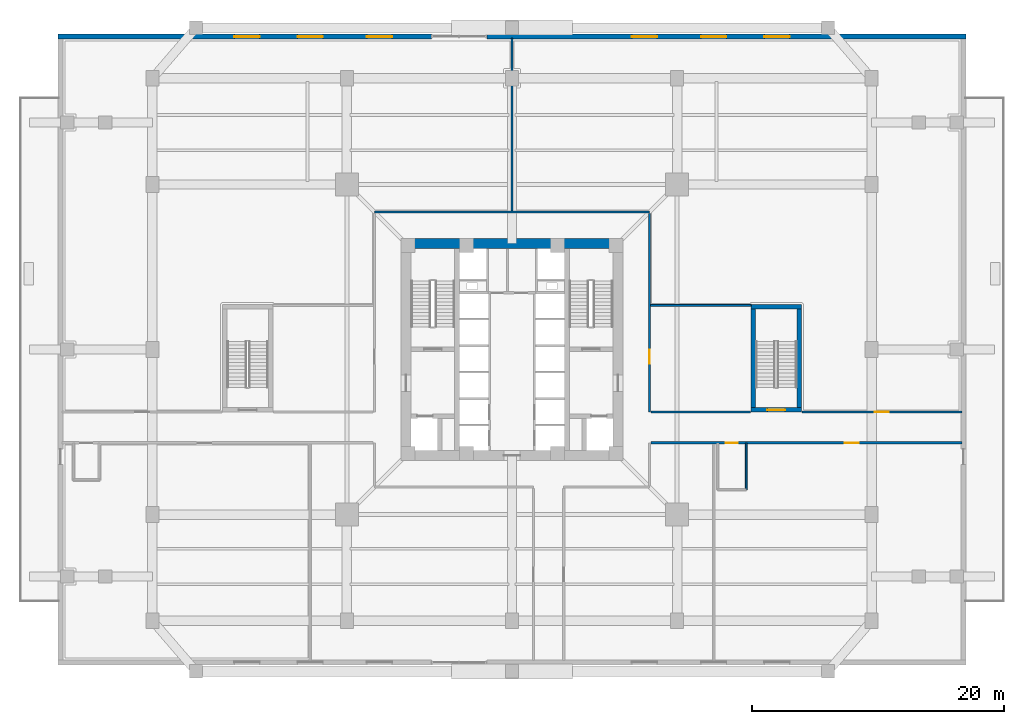
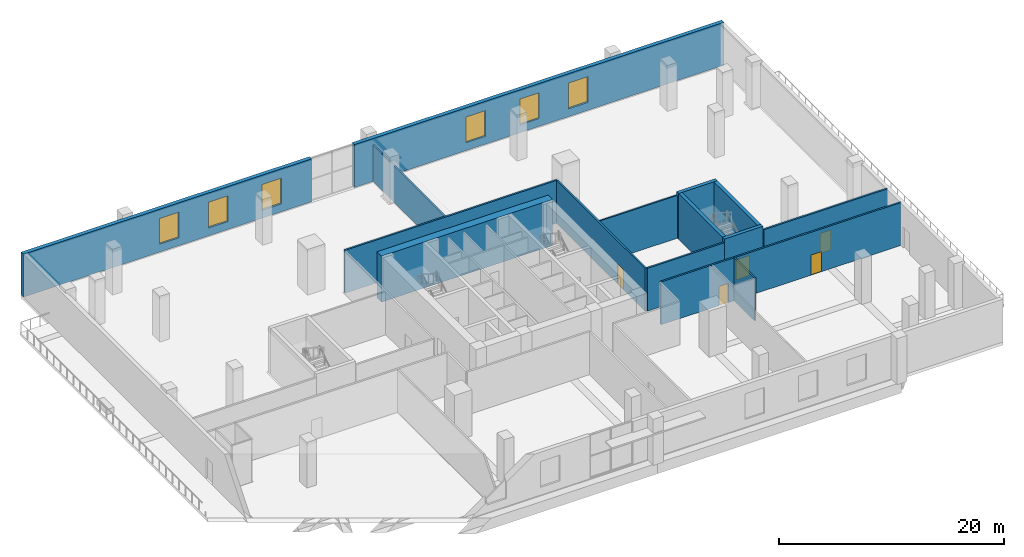
# One storey, part 8 of 15: 15 walls, 6 windows, 5 doors, 11 openings.
"""IFC4 building model written with IfcOpenShell, lengths in metres."""

from ifc_helpers import new_model, si_unit, direction, frame, frame_2d, origin, place, context, subcontext, project, spatial, rectangle, extrude, source, transform, mapped, material, layer, layer_set, type_object, element, fill, save


model = new_model("IFC4")

# Units and contexts
model_context = context("Model", 3, precision=1e-05, world=origin(), true_north=direction((0.0, 1.0)))
body_context = subcontext(model_context, "Body", "Model", "MODEL_VIEW")
ifc_project = project(units=[si_unit("LENGTHUNIT", "METRE"), si_unit("AREAUNIT", "SQUARE_METRE"), si_unit("VOLUMEUNIT", "CUBIC_METRE"), si_unit("PLANEANGLEUNIT", "RADIAN"), si_unit("MASSUNIT", "GRAM", prefix="KILO"), si_unit("THERMODYNAMICTEMPERATUREUNIT", "KELVIN")], contexts=[model_context])

# Site, building, storey
site_placement = place(None, origin())
site = spatial("IfcSite", under=ifc_project, at=site_placement, CompositionType="ELEMENT")
building_placement = place(site_placement, origin())
building = spatial("IfcBuilding", under=site, at=building_placement, Name="Kosmvard Interchange Tower", CompositionType="ELEMENT")
storey_placement = place(building_placement, frame((0.0, 0.0, 11.0)))
storey = spatial("IfcBuildingStorey", under=building, at=storey_placement, Name="L02", CompositionType="ELEMENT", Elevation=11.0)

# Walls
ifc_material_1 = material(Name="Acoustic gypsum partition system")
ifc_layer_1 = layer(ifc_material_1, 0.14990234375, Name="Acoustic gypsum partition system")
ifc_layer_set_1 = layer_set([ifc_layer_1], Name="Acoustic gypsum partition system")
wall_type_1 = type_object("IfcWallType", Name="Acoustic Suite & Meeting Partition 150", PredefinedType="PARTITIONING", material=ifc_layer_set_1)
wall_1_placement = place(storey_placement, frame((0.0, 10.9951171875, 0.0), z_axis=(0.0, 0.0, 1.0), x_axis=(0.0, 1.0, 0.0)))
element("IfcWall", 1, at=wall_1_placement, inside=storey, type_object=wall_type_1, Name="L02 Room Partition 01.1", PredefinedType="PARTITIONING", context=body_context, shape_type="SweptSolid", body=[
    extrude(rectangle(XDim=13.669921875, YDim=0.14990234375, at=frame_2d((6.8349609375, 0.0))), origin(), (0.0, 0.0, 1.0), 3.949951171875),
])
wall_2_placement = place(storey_placement, frame((10.9951171875, 3.5, 0.0), z_axis=(0.0, 0.0, 1.0), x_axis=(1.0, 0.0, 0.0)))
element("IfcWall", 2, at=wall_2_placement, inside=storey, type_object=wall_type_1, Name="L02 Room Partition 03.1", PredefinedType="PARTITIONING", context=body_context, shape_type="SweptSolid", body=[
    extrude(rectangle(XDim=7.96484375, YDim=0.14990234375, at=frame_2d((3.982421875, 0.0))), origin(), (0.0, 0.0, 1.0), 4.659912109375),
])
ifc_material_2 = material(Name="Fire-rated gypsum partition system")
ifc_layer_2 = layer(ifc_material_2, 0.179931640625, Name="Fire-rated gypsum partition system")
ifc_layer_set_2 = layer_set([ifc_layer_2], Name="Fire-rated gypsum partition system")
wall_type_2 = type_object("IfcWallType", Name="Corridor & Hotel Compartment Partition 180", PredefinedType="PARTITIONING", material=ifc_layer_set_2)
wall_3_placement = place(storey_placement, frame((-10.89990234375, 10.89990234375, 0.0), z_axis=(0.0, 0.0, 1.0), x_axis=(1.0, 0.0, 0.0)))
element("IfcWall", 3, at=wall_3_placement, inside=storey, type_object=wall_type_2, Name="L02 Corridor Wall CN", PredefinedType="PARTITIONING", context=body_context, shape_type="SweptSolid", body=[
    extrude(rectangle(XDim=21.7998046875, YDim=0.179931640625, at=frame_2d((10.89990234375, 0.0))), origin(), (0.0, 0.0, 1.0), 4.659912109375),
])

# Wall, opening, door
wall_4_placement = place(storey_placement, frame((10.89990234375, -4.9599609375, 0.0), z_axis=(0.0, 0.0, 1.0), x_axis=(0.0, 1.0, 0.0)))
wall_4 = element("IfcWall", 4, at=wall_4_placement, inside=storey, type_object=wall_type_2, Name="L02 Corridor Wall CEN", PredefinedType="PARTITIONING", context=body_context, shape_type="SweptSolid", body=[
    extrude(rectangle(XDim=15.760009765625, YDim=0.179931640625, at=frame_2d((7.8798828125, 0.0))), origin(), (0.0, 0.0, 1.0), 4.659912109375),
])
opening_1_placement = place(wall_4_placement, frame((3.844482421875, 0.0, 0.0)))
opening_1 = element("IfcOpeningElement", 5, at=opening_1_placement, cuts=wall_4, Name="Opening L02-D06", PredefinedType="OPENING", context=body_context, shape_type="SweptSolid", body=[
    extrude(rectangle(XDim=1.10009765625, YDim=2.199951171875, at=frame_2d((0.550048828125, 1.10009765625))), frame((0.0, 0.10009765625, 0.0), z_axis=(0.0, -1.0, 0.0), x_axis=(1.0, 0.0, 0.0)), (0.0, 0.0, 1.0), 0.199951171875),
])
ifc_material_3 = material(Name="Engineered oak fire-rated timber", Category="wood")
door_type_1 = type_object("IfcDoorType", Name="Office Suite Entrance Door 1100x2200 FD30S", OperationType="NOTDEFINED", PredefinedType="DOOR", material=ifc_material_3)
shared_shape_1 = source(origin(), body_context, "Body", "SweptSolid", [
    extrude(rectangle(XDim=1.10009765625, YDim=2.199951171875, at=frame_2d((0.550048828125, 1.10009765625))), frame((0.0, 0.02490234375, 0.0), z_axis=(0.0, -1.0, 0.0), x_axis=(1.0, 0.0, 0.0)), (0.0, 0.0, 1.0), 0.050048828125),
])
door_1_placement = place(opening_1_placement, frame((1.10009765625, 0.0, 0.0), z_axis=(0.0, 0.0, 1.0), x_axis=(-1.0, 0.0, 0.0)))
door_1 = element("IfcDoor", 6, at=door_1_placement, inside=storey, type_object=door_type_1, Name="L02 L02 Retail Stockroom Store Door", OperationType="SINGLE_SWING_RIGHT", OverallHeight=2.199951171875, OverallWidth=1.10009765625, PredefinedType="DOOR", context=body_context, shape_type="MappedRepresentation", body=[
    mapped(shared_shape_1, transform((0.0, 0.0, 0.0), scale=1.0)),
])
fill(opening_1, door_1)

# Wall, openings, doors
wall_5_placement = place(storey_placement, frame((11.0, -7.39990234375, 0.0), z_axis=(0.0, 0.0, 1.0), x_axis=(1.0, 0.0, 0.0)))
wall_5 = element("IfcWall", 7, at=wall_5_placement, inside=storey, type_object=wall_type_2, Name="L02 Corridor Wall SES", PredefinedType="PARTITIONING", context=body_context, shape_type="SweptSolid", body=[
    extrude(rectangle(XDim=24.6650390625, YDim=0.179931640625, at=frame_2d((12.33251953125, 0.0))), origin(), (0.0, 0.0, 1.0), 4.659912109375),
])
opening_2_placement = place(wall_5_placement, frame((5.961181640625, 0.0, 0.0)))
opening_2 = element("IfcOpeningElement", 8, at=opening_2_placement, cuts=wall_5, Name="Opening L02-D02", PredefinedType="OPENING", context=body_context, shape_type="SweptSolid", body=[
    extrude(rectangle(XDim=0.949951171875, YDim=2.10009765625, at=frame_2d((0.47509765625, 1.050048828125))), frame((0.0, 0.10009765625, 0.0), z_axis=(0.0, -1.0, 0.0), x_axis=(1.0, 0.0, 0.0)), (0.0, 0.0, 1.0), 0.199951171875),
])
opening_3_placement = place(wall_5_placement, frame((15.392578125, 0.0, 0.0)))
opening_3 = element("IfcOpeningElement", 9, at=opening_3_placement, cuts=wall_5, Name="Opening L02-D10", PredefinedType="OPENING", context=body_context, shape_type="SweptSolid", body=[
    extrude(rectangle(XDim=1.10009765625, YDim=2.199951171875, at=frame_2d((0.550048828125, 1.10009765625))), frame((0.0, 0.10009765625, 0.0), z_axis=(0.0, -1.0, 0.0), x_axis=(1.0, 0.0, 0.0)), (0.0, 0.0, 1.0), 0.199951171875),
])
ifc_material_4 = material(Name="Laminated moisture-resistant timber", Category="wood")
door_type_2 = type_object("IfcDoorType", Name="Accessible Washroom Door 950x2100", OperationType="NOTDEFINED", PredefinedType="DOOR", material=ifc_material_4)
shared_shape_2 = source(origin(), body_context, "Body", "SweptSolid", [
    extrude(rectangle(XDim=0.949951171875, YDim=2.10009765625, at=frame_2d((0.47509765625, 1.050048828125))), frame((0.0, 0.02490234375, 0.0), z_axis=(0.0, -1.0, 0.0), x_axis=(1.0, 0.0, 0.0)), (0.0, 0.0, 1.0), 0.050048828125),
])
door_2_placement = place(opening_2_placement, frame((0.949951171875, 0.0, 0.0), z_axis=(0.0, 0.0, 1.0), x_axis=(-1.0, 0.0, 0.0)))
door_2 = element("IfcDoor", 10, at=door_2_placement, inside=storey, type_object=door_type_2, Name="L02 Public Floor Washroom Door", OperationType="SINGLE_SWING_RIGHT", OverallHeight=2.10009765625, OverallWidth=0.949951171875, PredefinedType="DOOR", context=body_context, shape_type="MappedRepresentation", body=[
    mapped(shared_shape_2, transform((0.0, 0.0, 0.0), scale=1.0)),
])
fill(opening_2, door_2)
door_3_placement = place(opening_3_placement, frame((1.10009765625, 0.0, 0.0), z_axis=(0.0, 0.0, 1.0), x_axis=(-1.0, 0.0, 0.0)))
door_3 = element("IfcDoor", 11, at=door_3_placement, inside=storey, type_object=door_type_1, Name="L02 L02 East Cascade Terrace Shop Door", OperationType="SINGLE_SWING_RIGHT", OverallHeight=2.199951171875, OverallWidth=1.10009765625, PredefinedType="DOOR", context=body_context, shape_type="MappedRepresentation", body=[
    mapped(shared_shape_1, transform((0.0, 0.0, 0.0), scale=1.0)),
])
fill(opening_3, door_3)

# Wall
wall_6_placement = place(storey_placement, frame((11.0, -4.9599609375, 0.0), z_axis=(0.0, 0.0, 1.0), x_axis=(1.0, 0.0, 0.0)))
element("IfcWall", 12, at=wall_6_placement, inside=storey, type_object=wall_type_2, Name="L02 Corridor Wall SEN1", PredefinedType="PARTITIONING", context=body_context, shape_type="SweptSolid", body=[
    extrude(rectangle(XDim=7.919921875, YDim=0.179931640625, at=frame_2d((3.9599609375, 0.0))), origin(), (0.0, 0.0, 1.0), 4.659912109375),
])

# Wall, opening, door
wall_7_placement = place(storey_placement, frame((22.97998046875, -4.9599609375, 0.0), z_axis=(0.0, 0.0, 1.0), x_axis=(1.0, 0.0, 0.0)))
wall_7 = element("IfcWall", 13, at=wall_7_placement, inside=storey, type_object=wall_type_2, Name="L02 Corridor Wall SEN2", PredefinedType="PARTITIONING", context=body_context, shape_type="SweptSolid", body=[
    extrude(rectangle(XDim=12.68505859375, YDim=0.179931640625, at=frame_2d((6.342529296875, 0.0))), origin(), (0.0, 0.0, 1.0), 4.659912109375),
])
opening_4_placement = place(wall_7_placement, frame((5.79248046875, 0.0, 0.0)))
opening_4 = element("IfcOpeningElement", 14, at=opening_4_placement, cuts=wall_7, Name="Opening L02-D04", PredefinedType="OPENING", context=body_context, shape_type="SweptSolid", body=[
    extrude(rectangle(XDim=1.10009765625, YDim=2.199951171875, at=frame_2d((0.550048828125, 1.10009765625))), frame((0.0, 0.10009765625, 0.0), z_axis=(0.0, -1.0, 0.0), x_axis=(1.0, 0.0, 0.0)), (0.0, 0.0, 1.0), 0.199951171875),
])
door_4_placement = place(opening_4_placement, origin())
door_4 = element("IfcDoor", 15, at=door_4_placement, inside=storey, type_object=door_type_1, Name="L02 L02 Interchange Departure Lounge Door", OperationType="SINGLE_SWING_RIGHT", OverallHeight=2.199951171875, OverallWidth=1.10009765625, PredefinedType="DOOR", context=body_context, shape_type="MappedRepresentation", body=[
    mapped(shared_shape_1, transform((0.0, 0.0, 0.0), scale=1.0)),
])
fill(opening_4, door_4)

# Wall
ifc_material_5 = material(Name="Concrete C80/95", Category="concrete")
ifc_layer_3 = layer(ifc_material_5, 0.800048828125, Name="Concrete C80/95")
ifc_layer_set_3 = layer_set([ifc_layer_3], Name="Concrete C80/95")
wall_type_3 = type_object("IfcWallType", Name="Lower Core Shear Wall 800 C80/95", PredefinedType="SHEAR", material=ifc_layer_set_3)
wall_8_placement = place(storey_placement, frame((-8.800048828125, 8.39990234375, 0.0), z_axis=(0.0, 0.0, 1.0), x_axis=(1.0, 0.0, 0.0)))
element("IfcWall", 16, at=wall_8_placement, inside=storey, type_object=wall_type_3, Name="L02 Core Shear Wall CW-N", PredefinedType="SHEAR", context=body_context, shape_type="SweptSolid", body=[
    extrude(rectangle(XDim=17.60009765625, YDim=0.800048828125, at=frame_2d((8.800048828125, 0.0))), origin(), (0.0, 0.0, 1.0), 5.0),
])

# Wall, openings, windows
ifc_material_6 = material(Name="Precast concrete C45/55", Category="concrete")
ifc_layer_4 = layer(ifc_material_6, 0.39990234375, Name="Precast concrete C45/55")
ifc_layer_set_4 = layer_set([ifc_layer_4], Name="Precast concrete C45/55")
wall_type_4 = type_object("IfcWallType", Name="Podium Precast Stone Pier Wall 400 C45/55", PredefinedType="STANDARD", material=ifc_layer_set_4)
wall_9_placement = place(storey_placement, frame((-36.0, 24.800048828125, 0.0), z_axis=(0.0, 0.0, 1.0), x_axis=(1.0, 0.0, 0.0)))
wall_9 = element("IfcWall", 17, at=wall_9_placement, inside=storey, type_object=wall_type_4, Name="L02 Podium Precast Wall EW-N1", PredefinedType="STANDARD", context=body_context, shape_type="SweptSolid", body=[
    extrude(rectangle(XDim=29.60009765625, YDim=0.39990234375, at=frame_2d((14.800048828125, 0.0))), origin(), (0.0, 0.0, 1.0), 4.659912109375),
])
opening_5_placement = place(wall_9_placement, frame((14.0, 0.0, 0.85009765625)))
opening_5 = element("IfcOpeningElement", 18, at=opening_5_placement, cuts=wall_9, Name="Opening L02-W7", PredefinedType="OPENING", context=body_context, shape_type="SweptSolid", body=[
    extrude(rectangle(XDim=2.0, YDim=2.800048828125, at=frame_2d((1.0, 1.39990234375))), frame((0.0, 0.2099609375, 0.0), z_axis=(0.0, -1.0, 0.0), x_axis=(1.0, 0.0, 0.0)), (0.0, 0.0, 1.0), 0.419921875),
])
opening_6_placement = place(wall_9_placement, frame((19.0, 0.0, 0.85009765625)))
opening_6 = element("IfcOpeningElement", 19, at=opening_6_placement, cuts=wall_9, Name="Opening L02-W8", PredefinedType="OPENING", context=body_context, shape_type="SweptSolid", body=[
    extrude(rectangle(XDim=2.0, YDim=2.800048828125, at=frame_2d((1.0, 1.39990234375))), frame((0.0, 0.2099609375, 0.0), z_axis=(0.0, -1.0, 0.0), x_axis=(1.0, 0.0, 0.0)), (0.0, 0.0, 1.0), 0.419921875),
])
opening_7_placement = place(wall_9_placement, frame((24.5, 0.0, 0.85009765625)))
opening_7 = element("IfcOpeningElement", 20, at=opening_7_placement, cuts=wall_9, Name="Opening L02-W9", PredefinedType="OPENING", context=body_context, shape_type="SweptSolid", body=[
    extrude(rectangle(XDim=2.0, YDim=2.800048828125, at=frame_2d((1.0, 1.39990234375))), frame((0.0, 0.2099609375, 0.0), z_axis=(0.0, -1.0, 0.0), x_axis=(1.0, 0.0, 0.0)), (0.0, 0.0, 1.0), 0.419921875),
])
ifc_material_7 = material(Name="Low-E solar-control double glazing", Category="glass")
window_type = type_object("IfcWindowType", Name="Podium Lounge Punched Window 2000x2800", PartitioningType="SINGLE_PANEL", PredefinedType="WINDOW", material=ifc_material_7)
shared_shape_3 = source(origin(), body_context, "Body", "SweptSolid", [
    extrude(rectangle(XDim=2.0, YDim=2.800048828125, at=frame_2d((1.0, 1.39990234375))), frame((0.0, 0.030029296875, 0.0), z_axis=(0.0, -1.0, 0.0), x_axis=(1.0, 0.0, 0.0)), (0.0, 0.0, 1.0), 0.06005859375),
])
window_1_placement = place(opening_5_placement, origin())
window_1 = element("IfcWindow", 21, at=window_1_placement, inside=storey, type_object=window_type, Name="L02 Podium Window 7", OverallHeight=2.800048828125, OverallWidth=2.0, PartitioningType="SINGLE_PANEL", PredefinedType="WINDOW", context=body_context, shape_type="MappedRepresentation", body=[
    mapped(shared_shape_3, transform((0.0, 0.0, 0.0), scale=1.0)),
])
fill(opening_5, window_1)
window_2_placement = place(opening_6_placement, origin())
window_2 = element("IfcWindow", 22, at=window_2_placement, inside=storey, type_object=window_type, Name="L02 Podium Window 8", OverallHeight=2.800048828125, OverallWidth=2.0, PartitioningType="SINGLE_PANEL", PredefinedType="WINDOW", context=body_context, shape_type="MappedRepresentation", body=[
    mapped(shared_shape_3, transform((0.0, 0.0, 0.0), scale=1.0)),
])
fill(opening_6, window_2)
window_3_placement = place(opening_7_placement, origin())
window_3 = element("IfcWindow", 23, at=window_3_placement, inside=storey, type_object=window_type, Name="L02 Podium Window 9", OverallHeight=2.800048828125, OverallWidth=2.0, PartitioningType="SINGLE_PANEL", PredefinedType="WINDOW", context=body_context, shape_type="MappedRepresentation", body=[
    mapped(shared_shape_3, transform((0.0, 0.0, 0.0), scale=1.0)),
])
fill(opening_7, window_3)

wall_10_placement = place(storey_placement, frame((-2.0, 24.800048828125, 0.0), z_axis=(0.0, 0.0, 1.0), x_axis=(1.0, 0.0, 0.0)))
wall_10 = element("IfcWall", 24, at=wall_10_placement, inside=storey, type_object=wall_type_4, Name="L02 Podium Precast Wall EW-N2", PredefinedType="STANDARD", context=body_context, shape_type="SweptSolid", body=[
    extrude(rectangle(XDim=38.0, YDim=0.39990234375, at=frame_2d((19.0, 0.0))), origin(), (0.0, 0.0, 1.0), 4.659912109375),
])
opening_8_placement = place(wall_10_placement, frame((11.5, 0.0, 0.85009765625)))
opening_8 = element("IfcOpeningElement", 25, at=opening_8_placement, cuts=wall_10, Name="Opening L02-W10", PredefinedType="OPENING", context=body_context, shape_type="SweptSolid", body=[
    extrude(rectangle(XDim=2.0, YDim=2.800048828125, at=frame_2d((1.0, 1.39990234375))), frame((0.0, 0.2099609375, 0.0), z_axis=(0.0, -1.0, 0.0), x_axis=(1.0, 0.0, 0.0)), (0.0, 0.0, 1.0), 0.419921875),
])
opening_9_placement = place(wall_10_placement, frame((17.0, 0.0, 0.85009765625)))
opening_9 = element("IfcOpeningElement", 26, at=opening_9_placement, cuts=wall_10, Name="Opening L02-W11", PredefinedType="OPENING", context=body_context, shape_type="SweptSolid", body=[
    extrude(rectangle(XDim=2.0, YDim=2.800048828125, at=frame_2d((1.0, 1.39990234375))), frame((0.0, 0.2099609375, 0.0), z_axis=(0.0, -1.0, 0.0), x_axis=(1.0, 0.0, 0.0)), (0.0, 0.0, 1.0), 0.419921875),
])
opening_10_placement = place(wall_10_placement, frame((22.0, 0.0, 0.85009765625)))
opening_10 = element("IfcOpeningElement", 27, at=opening_10_placement, cuts=wall_10, Name="Opening L02-W12", PredefinedType="OPENING", context=body_context, shape_type="SweptSolid", body=[
    extrude(rectangle(XDim=2.0, YDim=2.800048828125, at=frame_2d((1.0, 1.39990234375))), frame((0.0, 0.2099609375, 0.0), z_axis=(0.0, -1.0, 0.0), x_axis=(1.0, 0.0, 0.0)), (0.0, 0.0, 1.0), 0.419921875),
])
window_4_placement = place(opening_8_placement, origin())
window_4 = element("IfcWindow", 28, at=window_4_placement, inside=storey, type_object=window_type, Name="L02 Podium Window 10", OverallHeight=2.800048828125, OverallWidth=2.0, PartitioningType="SINGLE_PANEL", PredefinedType="WINDOW", context=body_context, shape_type="MappedRepresentation", body=[
    mapped(shared_shape_3, transform((0.0, 0.0, 0.0), scale=1.0)),
])
fill(opening_8, window_4)
window_5_placement = place(opening_9_placement, origin())
window_5 = element("IfcWindow", 29, at=window_5_placement, inside=storey, type_object=window_type, Name="L02 Podium Window 11", OverallHeight=2.800048828125, OverallWidth=2.0, PartitioningType="SINGLE_PANEL", PredefinedType="WINDOW", context=body_context, shape_type="MappedRepresentation", body=[
    mapped(shared_shape_3, transform((0.0, 0.0, 0.0), scale=1.0)),
])
fill(opening_9, window_5)
window_6_placement = place(opening_10_placement, origin())
window_6 = element("IfcWindow", 30, at=window_6_placement, inside=storey, type_object=window_type, Name="L02 Podium Window 12", OverallHeight=2.800048828125, OverallWidth=2.0, PartitioningType="SINGLE_PANEL", PredefinedType="WINDOW", context=body_context, shape_type="MappedRepresentation", body=[
    mapped(shared_shape_3, transform((0.0, 0.0, 0.0), scale=1.0)),
])
fill(opening_10, window_6)

# Wall, opening, door
ifc_material_8 = material(Name="Concrete C60/75", Category="concrete")
ifc_layer_5 = layer(ifc_material_8, 0.360107421875, Name="Concrete C60/75")
ifc_layer_set_5 = layer_set([ifc_layer_5], Name="Concrete C60/75")
wall_type_5 = type_object("IfcWallType", Name="Stair & Lift Shaft Shear Wall 360 C60/75", PredefinedType="SHEAR", material=ifc_layer_set_5)
wall_11_placement = place(storey_placement, frame((18.9599609375, -4.780029296875, 0.0), z_axis=(0.0, 0.0, 1.0), x_axis=(1.0, 0.0, 0.0)))
wall_11 = element("IfcWall", 31, at=wall_11_placement, inside=storey, type_object=wall_type_5, Name="L02 Podium Stair Shear Wall ST4S", PredefinedType="SHEAR", context=body_context, shape_type="SweptSolid", body=[
    extrude(rectangle(XDim=3.97998046875, YDim=0.360107421875, at=frame_2d((1.989990234375, 0.0))), origin(), (0.0, 0.0, 1.0), 5.0),
])
opening_11_placement = place(wall_11_placement, frame((1.2900390625, 0.0, 0.0)))
opening_11 = element("IfcOpeningElement", 32, at=opening_11_placement, cuts=wall_11, Name="Opening L02-SD4", PredefinedType="OPENING", context=body_context, shape_type="SweptSolid", body=[
    extrude(rectangle(XDim=1.39990234375, YDim=2.199951171875, at=frame_2d((0.699951171875, 1.10009765625))), frame((0.0, 0.18994140625, 0.0), z_axis=(0.0, -1.0, 0.0), x_axis=(1.0, 0.0, 0.0)), (0.0, 0.0, 1.0), 0.380126953125),
])
ifc_material_9 = material(Name="Painted fire-rated steel leaf", Category="steel")
door_type_3 = type_object("IfcDoorType", Name="Protected Stair Door 1400x2200 FD60S", OperationType="NOTDEFINED", PredefinedType="DOOR", material=ifc_material_9)
shared_shape_4 = source(origin(), body_context, "Body", "SweptSolid", [
    extrude(rectangle(XDim=1.39990234375, YDim=2.199951171875, at=frame_2d((0.699951171875, 1.10009765625))), frame((0.0, 0.02490234375, 0.0), z_axis=(0.0, -1.0, 0.0), x_axis=(1.0, 0.0, 0.0)), (0.0, 0.0, 1.0), 0.050048828125),
])
door_5_placement = place(opening_11_placement, origin())
door_5 = element("IfcDoor", 33, at=door_5_placement, inside=storey, type_object=door_type_3, Name="L02 Podium Stair ST4 Door", OperationType="SINGLE_SWING_RIGHT", OverallHeight=2.199951171875, OverallWidth=1.39990234375, PredefinedType="DOOR", context=body_context, shape_type="MappedRepresentation", body=[
    mapped(shared_shape_4, transform((0.0, 0.0, 0.0), scale=1.0)),
])
fill(opening_11, door_5)

# Walls
wall_12_placement = place(storey_placement, frame((18.9599609375, 3.3798828125, 0.0), z_axis=(0.0, 0.0, 1.0), x_axis=(1.0, 0.0, 0.0)))
element("IfcWall", 34, at=wall_12_placement, inside=storey, type_object=wall_type_5, Name="L02 Podium Stair Shear Wall ST4N", PredefinedType="SHEAR", context=body_context, shape_type="SweptSolid", body=[
    extrude(rectangle(XDim=3.97998046875, YDim=0.360107421875, at=frame_2d((1.989990234375, 0.0))), origin(), (0.0, 0.0, 1.0), 5.0),
])
for number, where, z_axis, x_axis, name in (
    (35, (19.139892578125, -4.60009765625, 0.0), (0.0, 0.0, 1.0), (0.0, 1.0, 0.0), "L02 Podium Stair Shear Wall ST4W"),
    (36, (22.760009765625, -4.60009765625, 0.0), (0.0, 0.0, 1.0), (0.0, 1.0, 0.0), "L02 Podium Stair Shear Wall ST4E"),
):
    element("IfcWall", number, at=place(storey_placement, frame(where, z_axis=z_axis, x_axis=x_axis)), inside=storey, type_object=wall_type_5, Name=name, PredefinedType="SHEAR", context=body_context, shape_type="SweptSolid", body=[
        extrude(rectangle(XDim=7.800048828125, YDim=0.360107421875, at=frame_2d((3.89990234375, 0.0))), origin(), (0.0, 0.0, 1.0), 5.0),
    ])
ifc_material_10 = material(Name="Moisture-resistant gypsum partition")
ifc_layer_6 = layer(ifc_material_10, 0.135009765625, Name="Moisture-resistant gypsum partition")
ifc_layer_set_6 = layer_set([ifc_layer_6], Name="Moisture-resistant gypsum partition")
wall_type_6 = type_object("IfcWallType", Name="Wet Room Moisture-Resistant Partition 135", PredefinedType="PARTITIONING", material=ifc_layer_set_6)
wall_13_placement = place(storey_placement, frame((18.56103515625, -11.1201171875, 0.0), z_axis=(0.0, 0.0, 1.0), x_axis=(0.0, 1.0, 0.0)))
element("IfcWall", 37, at=wall_13_placement, inside=storey, type_object=wall_type_6, Name="L02 Washroom Partition WC1-E", PredefinedType="PARTITIONING", context=body_context, shape_type="SweptSolid", body=[
    extrude(rectangle(XDim=3.7001953125, YDim=0.135009765625, at=frame_2d((1.85009765625, 0.0))), origin(), (0.0, 0.0, 1.0), 4.659912109375),
])

save(model, "model.ifc")
